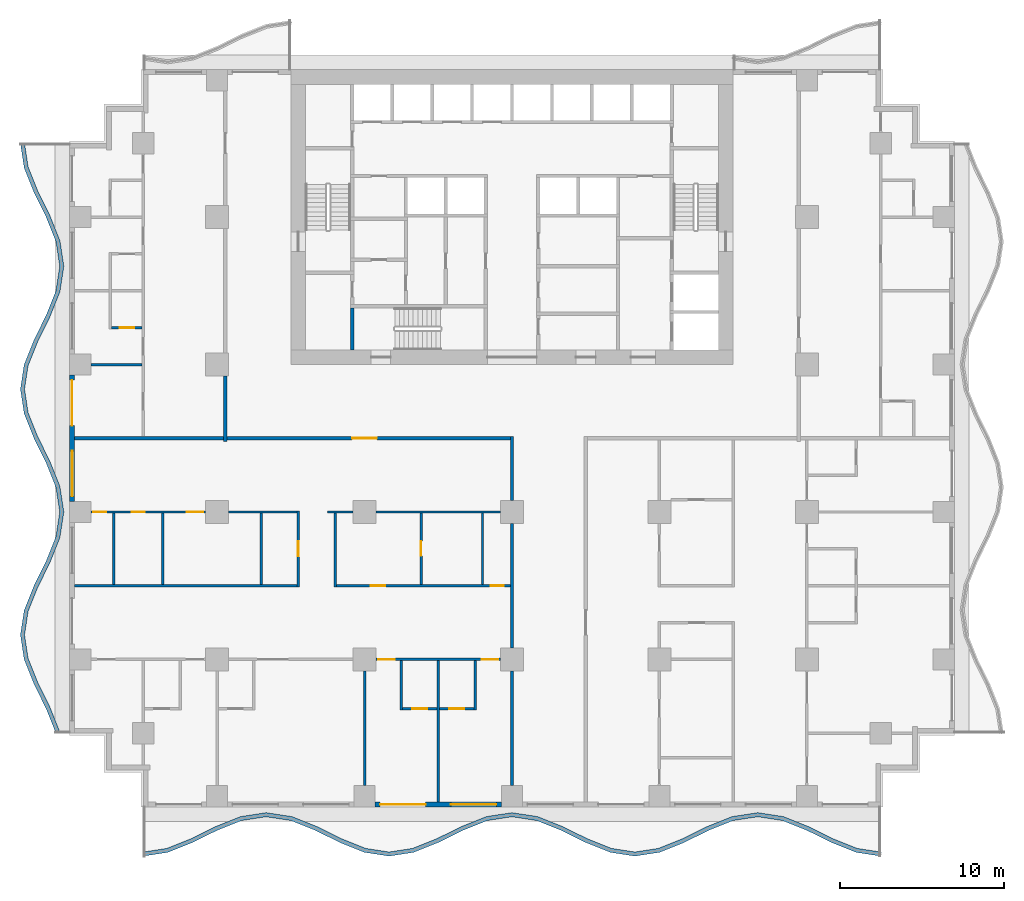
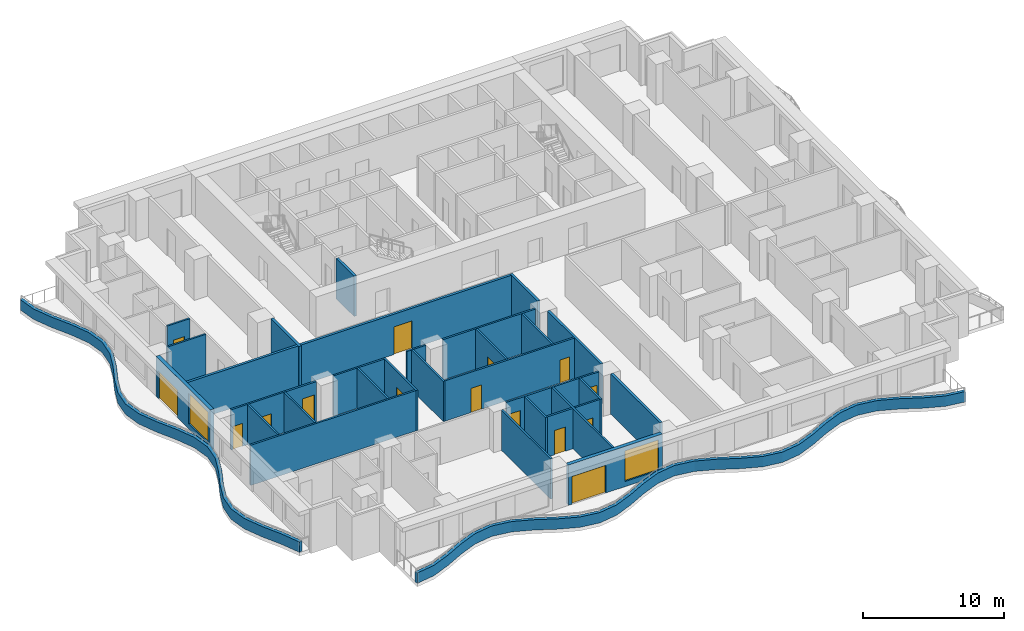
# One storey, part 2 of 14: 33 walls, 15 doors, 2 windows, 17 openings.
"""IFC4 building model written with IfcOpenShell, lengths in metres."""

from ifc_helpers import new_model, si_unit, direction, frame, frame_2d, origin, place, context, subcontext, project, spatial, polyline, rectangle, outline, extrude, material, layer, layer_set, type_object, element, fill, save


model = new_model("IFC4")

# Units and contexts
model_context = context("Model", 3, precision=1e-05, world=origin(), true_north=direction((0.0, 1.0)))
body_context = subcontext(model_context, "Body", "Model", "MODEL_VIEW")
ifc_project = project(units=[si_unit("LENGTHUNIT", "METRE"), si_unit("AREAUNIT", "SQUARE_METRE"), si_unit("VOLUMEUNIT", "CUBIC_METRE"), si_unit("PLANEANGLEUNIT", "RADIAN"), si_unit("MASSUNIT", "GRAM", prefix="KILO")], contexts=[model_context])

# Site, building, storey
site_placement = place(None, origin())
site = spatial("IfcSite", under=ifc_project, at=site_placement, CompositionType="ELEMENT")
building_placement = place(site_placement, origin())
building = spatial("IfcBuilding", under=site, at=building_placement, Name="Orbiselva Terraces", CompositionType="ELEMENT")
storey_placement = place(building_placement, frame((0.0, 0.0, 84.6)))
storey = spatial("IfcBuildingStorey", under=building, at=storey_placement, Name="L21", CompositionType="ELEMENT", Elevation=84.6)

# Walls
ifc_material_1 = material(Name="Concrete C60/75", Category="concrete")
ifc_layer_1 = layer(ifc_material_1, 0.2)
ifc_layer_set_1 = layer_set([ifc_layer_1], Name="Concrete C60/75")
wall_type_1 = type_object("IfcWallType", Name="CORE-WALL-SHEAR-200", PredefinedType="SHEAR", material=ifc_layer_set_1)
wall_1_placement = place(storey_placement, frame((-9.75, 5.4, 0.0), z_axis=(0.0, 0.0, 1.0), x_axis=(0.0, 1.0, 0.0)))
element("IfcWall", 1, at=wall_1_placement, inside=storey, type_object=wall_type_1, Name="L21 core wall 03", PredefinedType="SHEAR", context=body_context, shape_type="SweptSolid", body=[
    extrude(rectangle(XDim=2.55, YDim=0.2, at=frame_2d((1.275, 0.0))), origin(), (0.0, 0.0, 1.0), 3.5),
])
ifc_material_2 = material(Name="Concrete C40/50", Category="concrete")
ifc_layer_2 = layer(ifc_material_2, 0.25)
ifc_layer_set_2 = layer_set([ifc_layer_2], Name="Concrete C40/50")
wall_type_2 = type_object("IfcWallType", Name="ENV-PLANTER-250x900", PredefinedType="USERDEFINED", material=ifc_layer_set_2)
wall_2_placement = place(storey_placement, origin())
element("IfcWall", 2, at=wall_2_placement, inside=storey, type_object=wall_type_2, Name="Balcony planter L21 S", ObjectType="PLANTER", PredefinedType="USERDEFINED", context=body_context, shape_type="SweptSolid", body=[
    extrude(outline(polyline([(-22.5, -25.5), (-21.0, -25.27082), (-19.5, -24.67082), (-18.0, -23.92918), (-16.5, -23.32918), (-15.0, -23.1), (-13.5, -23.32918), (-12.0, -23.92918), (-10.5, -24.67082), (-9.0, -25.27082), (-7.5, -25.5), (-6.0, -25.27082), (-4.5, -24.67082), (-3.0, -23.92918), (-1.5, -23.32918), (0.0, -23.1), (1.5, -23.32918), (3.0, -23.92918), (4.5, -24.67082), (6.0, -25.27082), (7.5, -25.5), (9.0, -25.27082), (10.5, -24.67082), (12.0, -23.92918), (13.5, -23.32918), (15.0, -23.1), (16.5, -23.32918), (18.0, -23.92918), (19.5, -24.67082), (21.0, -25.27082), (22.5, -25.5), (22.537758, -25.252868), (21.066166, -25.028028), (19.601983, -24.442355), (18.101983, -23.700715), (16.566166, -23.086388), (15.0, -22.847099), (13.433834, -23.086388), (11.898017, -23.700715), (10.398017, -24.442355), (8.933834, -25.028028), (7.5, -25.247099), (6.066166, -25.028028), (4.601983, -24.442355), (3.101983, -23.700715), (1.566166, -23.086388), (0.0, -22.847099), (-1.566166, -23.086388), (-3.101983, -23.700715), (-4.601983, -24.442355), (-6.066166, -25.028028), (-7.5, -25.247099), (-8.933834, -25.028028), (-10.398017, -24.442355), (-11.898017, -23.700715), (-13.433834, -23.086388), (-15.0, -22.847099), (-16.566166, -23.086388), (-18.101983, -23.700715), (-19.601983, -24.442355), (-21.066166, -25.028028), (-22.537758, -25.252868), (-22.5, -25.5)])), origin(), (0.0, 0.0, 1.0), 0.9),
])
wall_3_placement = place(storey_placement, origin())
element("IfcWall", 3, at=wall_3_placement, inside=storey, type_object=wall_type_2, Name="Balcony planter L21 W", ObjectType="PLANTER", PredefinedType="USERDEFINED", context=body_context, shape_type="SweptSolid", body=[
    extrude(outline(polyline([(-30.0, 18.0), (-29.77082, 16.5), (-29.17082, 15.0), (-28.42918, 13.5), (-27.82918, 12.0), (-27.6, 10.5), (-27.82918, 9.0), (-28.42918, 7.5), (-29.17082, 6.0), (-29.77082, 4.5), (-30.0, 3.0), (-29.77082, 1.5), (-29.17082, 0.0), (-28.42918, -1.5), (-27.82918, -3.0), (-27.6, -4.5), (-27.82918, -6.0), (-28.42918, -7.5), (-29.17082, -9.0), (-29.77082, -10.5), (-30.0, -12.0), (-29.77082, -13.5), (-29.17082, -15.0), (-28.42918, -16.5), (-27.82918, -18.0), (-27.597061, -17.907152), (-28.200715, -16.398017), (-28.942355, -14.898017), (-29.528028, -13.433834), (-29.747099, -12.0), (-29.528028, -10.566166), (-28.942355, -9.101983), (-28.200715, -7.601983), (-27.586388, -6.066166), (-27.347099, -4.5), (-27.586388, -2.933834), (-28.200715, -1.398017), (-28.942355, 0.101983), (-29.528028, 1.566166), (-29.747099, 3.0), (-29.528028, 4.433834), (-28.942355, 5.898017), (-28.200715, 7.398017), (-27.586388, 8.933834), (-27.347099, 10.5), (-27.586388, 12.066166), (-28.200715, 13.601983), (-28.942355, 15.101983), (-29.528028, 16.566166), (-29.752868, 18.037758), (-30.0, 18.0)])), origin(), (0.0, 0.0, 1.0), 0.9),
])

# Wall, openings, door, window
ifc_material_3 = material(Name="Terracotta cladding on masonry backing", Category="masonry")
ifc_layer_3 = layer(ifc_material_3, 0.3)
ifc_layer_set_3 = layer_set([ifc_layer_3], Name="Terracotta cladding on masonry backing")
wall_type_3 = type_object("IfcWallType", Name="ENV-WALL-TERRACOTTA-300", PredefinedType="SOLIDWALL", material=ifc_layer_set_3)
wall_4_placement = place(storey_placement, frame((-0.65, -22.35, 0.0), z_axis=(0.0, 0.0, 1.0), x_axis=(-1.0, 0.0, 0.0)))
wall_4 = element("IfcWall", 4, at=wall_4_placement, inside=storey, type_object=wall_type_3, Name="Facade wall L21 S", PredefinedType="SOLIDWALL", context=body_context, shape_type="SweptSolid", body=[
    extrude(rectangle(XDim=7.7, YDim=0.3, at=frame_2d((3.85, 0.0))), origin(), (0.0, 0.0, 1.0), 3.5),
])
opening_1_placement = place(wall_4_placement, frame((4.625, 0.0, 0.0)))
opening_1 = element("IfcOpeningElement", 5, at=opening_1_placement, cuts=wall_4, Name="Opening Z2-B-E02", PredefinedType="OPENING", context=body_context, shape_type="SweptSolid", body=[
    extrude(rectangle(XDim=2.775, YDim=2.4, at=frame_2d((1.3875, 1.2))), frame((0.0, 0.16, 0.0), z_axis=(0.0, -1.0, 0.0), x_axis=(1.0, 0.0, 0.0)), (0.0, 0.0, 1.0), 0.32),
])
opening_2_placement = place(wall_4_placement, frame((0.3, 0.0, 0.45)))
opening_2 = element("IfcOpeningElement", 6, at=opening_2_placement, cuts=wall_4, Name="Opening WN6", PredefinedType="OPENING", context=body_context, shape_type="SweptSolid", body=[
    extrude(rectangle(XDim=2.775, YDim=2.65, at=frame_2d((1.3875, 1.325))), frame((0.0, 0.16, 0.0), z_axis=(0.0, -1.0, 0.0), x_axis=(1.0, 0.0, 0.0)), (0.0, 0.0, 1.0), 0.32),
])
ifc_material_4 = material(Name="Clear low-e glazing in aluminium frame", Category="aluminium")
door_type_1 = type_object("IfcDoorType", Name="BALCONY DOOR 2775 X 2400", OperationType="DOUBLE_DOOR_SLIDING", PredefinedType="DOOR", material=ifc_material_4)
door_1_placement = place(opening_1_placement, origin())
door_1 = element("IfcDoor", 7, at=door_1_placement, inside=storey, type_object=door_type_1, Name="Z2-B-E02", OperationType="SINGLE_SWING_LEFT", OverallHeight=2.4, OverallWidth=2.775, PredefinedType="DOOR", context=body_context, shape_type="SweptSolid", body=[
    extrude(rectangle(XDim=2.775, YDim=2.4, at=frame_2d((1.3875, 1.2))), frame((0.0, 0.025, 0.0), z_axis=(0.0, -1.0, 0.0), x_axis=(1.0, 0.0, 0.0)), (0.0, 0.0, 1.0), 0.05),
])
fill(opening_1, door_1)
window_type = type_object("IfcWindowType", Name="WINDOW 2775 X 2650 S450", PartitioningType="TRIPLE_PANEL_VERTICAL", PredefinedType="WINDOW", material=ifc_material_4)
window_1_placement = place(opening_2_placement, origin())
window_1 = element("IfcWindow", 8, at=window_1_placement, inside=storey, type_object=window_type, Name="Window L21 S", OverallHeight=2.65, OverallWidth=2.775, PartitioningType="SINGLE_PANEL", PredefinedType="WINDOW", context=body_context, shape_type="SweptSolid", body=[
    extrude(rectangle(XDim=2.775, YDim=2.65, at=frame_2d((1.3875, 1.325))), frame((0.0, 0.03, 0.0), z_axis=(0.0, -1.0, 0.0), x_axis=(1.0, 0.0, 0.0)), (0.0, 0.0, 1.0), 0.06),
])
fill(opening_2, window_1)

wall_5_placement = place(storey_placement, frame((-26.85, -3.85, 0.0), z_axis=(0.0, 0.0, 1.0), x_axis=(0.0, 1.0, 0.0)))
wall_5 = element("IfcWall", 9, at=wall_5_placement, inside=storey, type_object=wall_type_3, Name="Facade wall L21 W", PredefinedType="SOLIDWALL", context=body_context, shape_type="SweptSolid", body=[
    extrude(rectangle(XDim=7.7, YDim=0.3, at=frame_2d((3.85, 0.0))), origin(), (0.0, 0.0, 1.0), 3.5),
])
opening_3_placement = place(wall_5_placement, frame((4.625, 0.0, 0.0)))
opening_3 = element("IfcOpeningElement", 10, at=opening_3_placement, cuts=wall_5, Name="Opening Z2-B-E12", PredefinedType="OPENING", context=body_context, shape_type="SweptSolid", body=[
    extrude(rectangle(XDim=2.775, YDim=2.4, at=frame_2d((1.3875, 1.2))), frame((0.0, 0.16, 0.0), z_axis=(0.0, -1.0, 0.0), x_axis=(1.0, 0.0, 0.0)), (0.0, 0.0, 1.0), 0.32),
])
opening_4_placement = place(wall_5_placement, frame((0.3, 0.0, 0.45)))
opening_4 = element("IfcOpeningElement", 11, at=opening_4_placement, cuts=wall_5, Name="Opening WN6", PredefinedType="OPENING", context=body_context, shape_type="SweptSolid", body=[
    extrude(rectangle(XDim=2.775, YDim=2.65, at=frame_2d((1.3875, 1.325))), frame((0.0, 0.16, 0.0), z_axis=(0.0, -1.0, 0.0), x_axis=(1.0, 0.0, 0.0)), (0.0, 0.0, 1.0), 0.32),
])
door_2_placement = place(opening_3_placement, origin())
door_2 = element("IfcDoor", 12, at=door_2_placement, inside=storey, type_object=door_type_1, Name="Z2-B-E12", OperationType="SINGLE_SWING_LEFT", OverallHeight=2.4, OverallWidth=2.775, PredefinedType="DOOR", context=body_context, shape_type="SweptSolid", body=[
    extrude(rectangle(XDim=2.775, YDim=2.4, at=frame_2d((1.3875, 1.2))), frame((0.0, 0.025, 0.0), z_axis=(0.0, -1.0, 0.0), x_axis=(1.0, 0.0, 0.0)), (0.0, 0.0, 1.0), 0.05),
])
fill(opening_3, door_2)
window_2_placement = place(opening_4_placement, origin())
window_2 = element("IfcWindow", 13, at=window_2_placement, inside=storey, type_object=window_type, Name="Window L21 W", OverallHeight=2.65, OverallWidth=2.775, PartitioningType="SINGLE_PANEL", PredefinedType="WINDOW", context=body_context, shape_type="SweptSolid", body=[
    extrude(rectangle(XDim=2.775, YDim=2.65, at=frame_2d((1.3875, 1.325))), frame((0.0, 0.03, 0.0), z_axis=(0.0, -1.0, 0.0), x_axis=(1.0, 0.0, 0.0)), (0.0, 0.0, 1.0), 0.06),
])
fill(opening_4, window_2)

# Wall, opening, door
ifc_material_5 = material(Name="Plasterboard on steel stud partition", Category="steel")
ifc_layer_4 = layer(ifc_material_5, 0.2)
ifc_layer_set_4 = layer_set([ifc_layer_4], Name="Plasterboard on steel stud partition")
wall_type_4 = type_object("IfcWallType", Name="UNIT-ENTRANCE-WALL-200", PredefinedType="PARTITIONING", material=ifc_layer_set_4)
wall_6_placement = place(storey_placement, frame((-0.1, 0.0, 0.0), z_axis=(0.0, 0.0, 1.0), x_axis=(-1.0, 0.0, 0.0)))
wall_6 = element("IfcWall", 14, at=wall_6_placement, inside=storey, type_object=wall_type_4, Name="PARTITION L21-027", PredefinedType="PARTITIONING", context=body_context, shape_type="SweptSolid", body=[
    extrude(rectangle(XDim=17.3, YDim=0.2, at=frame_2d((8.65, 0.0))), origin(), (0.0, 0.0, 1.0), 3.5),
])
opening_5_placement = place(wall_6_placement, frame((8.15, 0.0, 0.0)))
opening_5 = element("IfcOpeningElement", 15, at=opening_5_placement, cuts=wall_6, Name="Opening Z2-B-15", PredefinedType="OPENING", context=body_context, shape_type="SweptSolid", body=[
    extrude(rectangle(XDim=1.5, YDim=2.4, at=frame_2d((0.75, 1.2))), frame((0.0, 0.11, 0.0), z_axis=(0.0, -1.0, 0.0), x_axis=(1.0, 0.0, 0.0)), (0.0, 0.0, 1.0), 0.22),
])
ifc_material_6 = material(Name="Painted timber door leaf", Category="wood")
door_type_2 = type_object("IfcDoorType", Name="ENTRANCE DOUBLE DOOR 1500", OperationType="NOTDEFINED", PredefinedType="DOOR", material=ifc_material_6)
door_3_placement = place(opening_5_placement, origin())
door_3 = element("IfcDoor", 16, at=door_3_placement, inside=storey, type_object=door_type_2, Name="Z2-B-15", OperationType="DOUBLE_DOOR_SINGLE_SWING", OverallHeight=2.4, OverallWidth=1.5, PredefinedType="DOOR", context=body_context, shape_type="SweptSolid", body=[
    extrude(rectangle(XDim=1.5, YDim=2.4, at=frame_2d((0.75, 1.2))), frame((0.0, 0.025, 0.0), z_axis=(0.0, -1.0, 0.0), x_axis=(1.0, 0.0, 0.0)), (0.0, 0.0, 1.0), 0.05),
])
fill(opening_5, door_3)

# Walls
wall_7_placement = place(storey_placement, frame((-17.5, -0.2, 0.0), z_axis=(0.0, 0.0, 1.0), x_axis=(0.0, 1.0, 0.0)))
element("IfcWall", 17, at=wall_7_placement, inside=storey, type_object=wall_type_4, Name="PARTITION L21-052", PredefinedType="PARTITIONING", context=body_context, shape_type="SweptSolid", body=[
    extrude(rectangle(XDim=4.0, YDim=0.2, at=frame_2d((2.0, 0.0))), origin(), (0.0, 0.0, 1.0), 3.5),
])
wall_8_placement = place(storey_placement, frame((0.0, -21.2, 0.0), z_axis=(0.0, 0.0, 1.0), x_axis=(0.0, 1.0, 0.0)))
element("IfcWall", 18, at=wall_8_placement, inside=storey, type_object=wall_type_4, Name="PARTITION L21-065", PredefinedType="PARTITIONING", context=body_context, shape_type="SweptSolid", body=[
    extrude(rectangle(XDim=7.0, YDim=0.2, at=frame_2d((3.5, 0.0))), origin(), (0.0, 0.0, 1.0), 3.5),
])
wall_9_placement = place(storey_placement, frame((0.0, -12.8, 0.0), z_axis=(0.0, 0.0, 1.0), x_axis=(0.0, 1.0, 0.0)))
element("IfcWall", 19, at=wall_9_placement, inside=storey, type_object=wall_type_4, Name="PARTITION L21-066", PredefinedType="PARTITIONING", context=body_context, shape_type="SweptSolid", body=[
    extrude(rectangle(XDim=7.6, YDim=0.2, at=frame_2d((3.8, 0.0))), origin(), (0.0, 0.0, 1.0), 3.5),
])
wall_10_placement = place(storey_placement, frame((0.0, -3.8, 0.0), z_axis=(0.0, 0.0, 1.0), x_axis=(0.0, 1.0, 0.0)))
element("IfcWall", 20, at=wall_10_placement, inside=storey, type_object=wall_type_4, Name="PARTITION L21-067", PredefinedType="PARTITIONING", context=body_context, shape_type="SweptSolid", body=[
    extrude(rectangle(XDim=3.9, YDim=0.2, at=frame_2d((1.95, 0.0))), origin(), (0.0, 0.0, 1.0), 3.5),
])

# Wall, opening, door
ifc_layer_5 = layer(ifc_material_5, 0.15)
ifc_layer_set_5 = layer_set([ifc_layer_5], Name="Plasterboard on steel stud partition")
wall_type_5 = type_object("IfcWallType", Name="UNIT-PARTITION-150", PredefinedType="PARTITIONING", material=ifc_layer_set_5)
wall_11_placement = place(storey_placement, frame((-6.675, -16.5, 0.0), z_axis=(0.0, 0.0, 1.0), x_axis=(1.0, 0.0, 0.0)))
wall_11 = element("IfcWall", 21, at=wall_11_placement, inside=storey, type_object=wall_type_5, Name="PARTITION L21-006", PredefinedType="PARTITIONING", context=body_context, shape_type="SweptSolid", body=[
    extrude(rectangle(XDim=2.1, YDim=0.15, at=frame_2d((1.05, 0.0))), origin(), (0.0, 0.0, 1.0), 3.5),
])
opening_6_placement = place(wall_11_placement, frame((0.6, 0.0, 0.0)))
opening_6 = element("IfcOpeningElement", 22, at=opening_6_placement, cuts=wall_11, Name="Opening Z2-B-29", PredefinedType="OPENING", context=body_context, shape_type="SweptSolid", body=[
    extrude(rectangle(XDim=0.9, YDim=2.1, at=frame_2d((0.45, 1.05))), frame((0.0, 0.085, 0.0), z_axis=(0.0, -1.0, 0.0), x_axis=(1.0, 0.0, 0.0)), (0.0, 0.0, 1.0), 0.17),
])
door_type_3 = type_object("IfcDoorType", Name="BATH DOOR 900", OperationType="NOTDEFINED", PredefinedType="DOOR", material=ifc_material_6)
door_4_placement = place(opening_6_placement, origin())
door_4 = element("IfcDoor", 23, at=door_4_placement, inside=storey, type_object=door_type_3, Name="Z2-B-29", OperationType="SINGLE_SWING_LEFT", OverallHeight=2.1, OverallWidth=0.9, PredefinedType="DOOR", context=body_context, shape_type="SweptSolid", body=[
    extrude(rectangle(XDim=0.9, YDim=2.1, at=frame_2d((0.45, 1.05))), frame((0.0, 0.025, 0.0), z_axis=(0.0, -1.0, 0.0), x_axis=(1.0, 0.0, 0.0)), (0.0, 0.0, 1.0), 0.05),
])
fill(opening_6, door_4)

wall_12_placement = place(storey_placement, frame((-4.425, -16.5, 0.0), z_axis=(0.0, 0.0, 1.0), x_axis=(1.0, 0.0, 0.0)))
wall_12 = element("IfcWall", 24, at=wall_12_placement, inside=storey, type_object=wall_type_5, Name="PARTITION L21-007", PredefinedType="PARTITIONING", context=body_context, shape_type="SweptSolid", body=[
    extrude(rectangle(XDim=2.1, YDim=0.15, at=frame_2d((1.05, 0.0))), origin(), (0.0, 0.0, 1.0), 3.5),
])
opening_7_placement = place(wall_12_placement, frame((0.6, 0.0, 0.0)))
opening_7 = element("IfcOpeningElement", 25, at=opening_7_placement, cuts=wall_12, Name="Opening Z2-B-31", PredefinedType="OPENING", context=body_context, shape_type="SweptSolid", body=[
    extrude(rectangle(XDim=0.9, YDim=2.1, at=frame_2d((0.45, 1.05))), frame((0.0, 0.085, 0.0), z_axis=(0.0, -1.0, 0.0), x_axis=(1.0, 0.0, 0.0)), (0.0, 0.0, 1.0), 0.17),
])
door_5_placement = place(opening_7_placement, origin())
door_5 = element("IfcDoor", 26, at=door_5_placement, inside=storey, type_object=door_type_3, Name="Z2-B-31", OperationType="SINGLE_SWING_RIGHT", OverallHeight=2.1, OverallWidth=0.9, PredefinedType="DOOR", context=body_context, shape_type="SweptSolid", body=[
    extrude(rectangle(XDim=0.9, YDim=2.1, at=frame_2d((0.45, 1.05))), frame((0.0, 0.025, 0.0), z_axis=(0.0, -1.0, 0.0), x_axis=(1.0, 0.0, 0.0)), (0.0, 0.0, 1.0), 0.05),
])
fill(opening_7, door_5)

# Wall, openings, doors
wall_13_placement = place(storey_placement, frame((-0.7, -13.5, 0.0), z_axis=(0.0, 0.0, 1.0), x_axis=(-1.0, 0.0, 0.0)))
wall_13 = element("IfcWall", 27, at=wall_13_placement, inside=storey, type_object=wall_type_5, Name="PARTITION L21-010", PredefinedType="PARTITIONING", context=body_context, shape_type="SweptSolid", body=[
    extrude(rectangle(XDim=7.6, YDim=0.15, at=frame_2d((3.8, 0.0))), origin(), (0.0, 0.0, 1.0), 3.5),
])
opening_8_placement = place(wall_13_placement, frame((6.45, 0.0, 0.0)))
opening_8 = element("IfcOpeningElement", 28, at=opening_8_placement, cuts=wall_13, Name="Opening Z2-B-28", PredefinedType="OPENING", context=body_context, shape_type="SweptSolid", body=[
    extrude(rectangle(XDim=1.0, YDim=2.4, at=frame_2d((0.5, 1.2))), frame((0.0, 0.085, 0.0), z_axis=(0.0, -1.0, 0.0), x_axis=(1.0, 0.0, 0.0)), (0.0, 0.0, 1.0), 0.17),
])
opening_9_placement = place(wall_13_placement, frame((0.15, 0.0, 0.0)))
opening_9 = element("IfcOpeningElement", 29, at=opening_9_placement, cuts=wall_13, Name="Opening Z2-B-30", PredefinedType="OPENING", context=body_context, shape_type="SweptSolid", body=[
    extrude(rectangle(XDim=1.0, YDim=2.4, at=frame_2d((0.5, 1.2))), frame((0.0, 0.085, 0.0), z_axis=(0.0, -1.0, 0.0), x_axis=(1.0, 0.0, 0.0)), (0.0, 0.0, 1.0), 0.17),
])
door_type_4 = type_object("IfcDoorType", Name="ROOM DOOR 1000", OperationType="NOTDEFINED", PredefinedType="DOOR", material=ifc_material_6)
door_6_placement = place(opening_8_placement, origin())
door_6 = element("IfcDoor", 30, at=door_6_placement, inside=storey, type_object=door_type_4, Name="Z2-B-28", OperationType="SINGLE_SWING_RIGHT", OverallHeight=2.4, OverallWidth=1.0, PredefinedType="DOOR", context=body_context, shape_type="SweptSolid", body=[
    extrude(rectangle(XDim=1.0, YDim=2.4, at=frame_2d((0.5, 1.2))), frame((0.0, 0.025, 0.0), z_axis=(0.0, -1.0, 0.0), x_axis=(1.0, 0.0, 0.0)), (0.0, 0.0, 1.0), 0.05),
])
fill(opening_8, door_6)
door_7_placement = place(opening_9_placement, origin())
door_7 = element("IfcDoor", 31, at=door_7_placement, inside=storey, type_object=door_type_4, Name="Z2-B-30", OperationType="SINGLE_SWING_LEFT", OverallHeight=2.4, OverallWidth=1.0, PredefinedType="DOOR", context=body_context, shape_type="SweptSolid", body=[
    extrude(rectangle(XDim=1.0, YDim=2.4, at=frame_2d((0.5, 1.2))), frame((0.0, 0.025, 0.0), z_axis=(0.0, -1.0, 0.0), x_axis=(1.0, 0.0, 0.0)), (0.0, 0.0, 1.0), 0.05),
])
fill(opening_9, door_7)

# Wall
wall_14_placement = place(storey_placement, frame((-26.7, -9.0, 0.0), z_axis=(0.0, 0.0, 1.0), x_axis=(1.0, 0.0, 0.0)))
element("IfcWall", 32, at=wall_14_placement, inside=storey, type_object=wall_type_5, Name="PARTITION L21-014", PredefinedType="PARTITIONING", context=body_context, shape_type="SweptSolid", body=[
    extrude(rectangle(XDim=13.575, YDim=0.15, at=frame_2d((6.7875, 0.0))), origin(), (0.0, 0.0, 1.0), 3.5),
])

# Wall, openings, doors
wall_15_placement = place(storey_placement, frame((-10.725, -9.0, 0.0), z_axis=(0.0, 0.0, 1.0), x_axis=(1.0, 0.0, 0.0)))
wall_15 = element("IfcWall", 33, at=wall_15_placement, inside=storey, type_object=wall_type_5, Name="PARTITION L21-015", PredefinedType="PARTITIONING", context=body_context, shape_type="SweptSolid", body=[
    extrude(rectangle(XDim=10.625, YDim=0.15, at=frame_2d((5.3125, 0.0))), origin(), (0.0, 0.0, 1.0), 3.5),
])
opening_10_placement = place(wall_15_placement, frame((2.1, 0.0, 0.0)))
opening_10 = element("IfcOpeningElement", 34, at=opening_10_placement, cuts=wall_15, Name="Opening Z2-B-20", PredefinedType="OPENING", context=body_context, shape_type="SweptSolid", body=[
    extrude(rectangle(XDim=0.9, YDim=2.1, at=frame_2d((0.45, 1.05))), frame((0.0, 0.085, 0.0), z_axis=(0.0, -1.0, 0.0), x_axis=(1.0, 0.0, 0.0)), (0.0, 0.0, 1.0), 0.17),
])
opening_11_placement = place(wall_15_placement, frame((9.425, 0.0, 0.0)))
opening_11 = element("IfcOpeningElement", 35, at=opening_11_placement, cuts=wall_15, Name="Opening Z2-B-22", PredefinedType="OPENING", context=body_context, shape_type="SweptSolid", body=[
    extrude(rectangle(XDim=0.8, YDim=2.0, at=frame_2d((0.4, 1.0))), frame((0.0, 0.085, 0.0), z_axis=(0.0, -1.0, 0.0), x_axis=(1.0, 0.0, 0.0)), (0.0, 0.0, 1.0), 0.17),
])
door_type_5 = type_object("IfcDoorType", Name="SERVICE DOOR 900", OperationType="NOTDEFINED", PredefinedType="DOOR", material=ifc_material_6)
door_8_placement = place(opening_10_placement, origin())
door_8 = element("IfcDoor", 36, at=door_8_placement, inside=storey, type_object=door_type_5, Name="Z2-B-20", OperationType="SINGLE_SWING_LEFT", OverallHeight=2.1, OverallWidth=0.9, PredefinedType="DOOR", context=body_context, shape_type="SweptSolid", body=[
    extrude(rectangle(XDim=0.9, YDim=2.1, at=frame_2d((0.45, 1.05))), frame((0.0, 0.025, 0.0), z_axis=(0.0, -1.0, 0.0), x_axis=(1.0, 0.0, 0.0)), (0.0, 0.0, 1.0), 0.05),
])
fill(opening_10, door_8)
door_type_6 = type_object("IfcDoorType", Name="STORE DOOR 800", OperationType="NOTDEFINED", PredefinedType="DOOR", material=ifc_material_6)
door_9_placement = place(opening_11_placement, origin())
door_9 = element("IfcDoor", 37, at=door_9_placement, inside=storey, type_object=door_type_6, Name="Z2-B-22", OperationType="SINGLE_SWING_RIGHT", OverallHeight=2.0, OverallWidth=0.8, PredefinedType="DOOR", context=body_context, shape_type="SweptSolid", body=[
    extrude(rectangle(XDim=0.8, YDim=2.0, at=frame_2d((0.4, 1.0))), frame((0.0, 0.025, 0.0), z_axis=(0.0, -1.0, 0.0), x_axis=(1.0, 0.0, 0.0)), (0.0, 0.0, 1.0), 0.05),
])
fill(opening_11, door_9)

wall_16_placement = place(storey_placement, frame((-18.7, -4.5, 0.0), z_axis=(0.0, 0.0, 1.0), x_axis=(-1.0, 0.0, 0.0)))
wall_16 = element("IfcWall", 38, at=wall_16_placement, inside=storey, type_object=wall_type_5, Name="PARTITION L21-020", PredefinedType="PARTITIONING", context=body_context, shape_type="SweptSolid", body=[
    extrude(rectangle(XDim=7.0, YDim=0.15, at=frame_2d((3.5, 0.0))), origin(), (0.0, 0.0, 1.0), 3.5),
])
opening_12_placement = place(wall_16_placement, frame((6.05, 0.0, 0.0)))
opening_12 = element("IfcOpeningElement", 39, at=opening_12_placement, cuts=wall_16, Name="Opening Z2-B-16", PredefinedType="OPENING", context=body_context, shape_type="SweptSolid", body=[
    extrude(rectangle(XDim=0.8, YDim=2.0, at=frame_2d((0.4, 1.0))), frame((0.0, 0.085, 0.0), z_axis=(0.0, -1.0, 0.0), x_axis=(1.0, 0.0, 0.0)), (0.0, 0.0, 1.0), 0.17),
])
opening_13_placement = place(wall_16_placement, frame((3.7, 0.0, 0.0)))
opening_13 = element("IfcOpeningElement", 40, at=opening_13_placement, cuts=wall_16, Name="Opening Z2-B-17", PredefinedType="OPENING", context=body_context, shape_type="SweptSolid", body=[
    extrude(rectangle(XDim=0.8, YDim=2.0, at=frame_2d((0.4, 1.0))), frame((0.0, 0.085, 0.0), z_axis=(0.0, -1.0, 0.0), x_axis=(1.0, 0.0, 0.0)), (0.0, 0.0, 1.0), 0.17),
])
opening_14_placement = place(wall_16_placement, frame((0.15, 0.0, 0.0)))
opening_14 = element("IfcOpeningElement", 41, at=opening_14_placement, cuts=wall_16, Name="Opening Z2-B-18", PredefinedType="OPENING", context=body_context, shape_type="SweptSolid", body=[
    extrude(rectangle(XDim=1.0, YDim=2.4, at=frame_2d((0.5, 1.2))), frame((0.0, 0.085, 0.0), z_axis=(0.0, -1.0, 0.0), x_axis=(1.0, 0.0, 0.0)), (0.0, 0.0, 1.0), 0.17),
])
door_10_placement = place(opening_14_placement, origin())
door_10 = element("IfcDoor", 42, at=door_10_placement, inside=storey, type_object=door_type_4, Name="Z2-B-18", OperationType="SINGLE_SWING_LEFT", OverallHeight=2.4, OverallWidth=1.0, PredefinedType="DOOR", context=body_context, shape_type="SweptSolid", body=[
    extrude(rectangle(XDim=1.0, YDim=2.4, at=frame_2d((0.5, 1.2))), frame((0.0, 0.025, 0.0), z_axis=(0.0, -1.0, 0.0), x_axis=(1.0, 0.0, 0.0)), (0.0, 0.0, 1.0), 0.05),
])
fill(opening_14, door_10)
door_11_placement = place(opening_12_placement, origin())
door_11 = element("IfcDoor", 43, at=door_11_placement, inside=storey, type_object=door_type_6, Name="Z2-B-16", OperationType="SINGLE_SWING_RIGHT", OverallHeight=2.0, OverallWidth=0.8, PredefinedType="DOOR", context=body_context, shape_type="SweptSolid", body=[
    extrude(rectangle(XDim=0.8, YDim=2.0, at=frame_2d((0.4, 1.0))), frame((0.0, 0.025, 0.0), z_axis=(0.0, -1.0, 0.0), x_axis=(1.0, 0.0, 0.0)), (0.0, 0.0, 1.0), 0.05),
])
fill(opening_12, door_11)
door_12_placement = place(opening_13_placement, origin())
door_12 = element("IfcDoor", 44, at=door_12_placement, inside=storey, type_object=door_type_6, Name="Z2-B-17", OperationType="SINGLE_SWING_RIGHT", OverallHeight=2.0, OverallWidth=0.8, PredefinedType="DOOR", context=body_context, shape_type="SweptSolid", body=[
    extrude(rectangle(XDim=0.8, YDim=2.0, at=frame_2d((0.4, 1.0))), frame((0.0, 0.025, 0.0), z_axis=(0.0, -1.0, 0.0), x_axis=(1.0, 0.0, 0.0)), (0.0, 0.0, 1.0), 0.05),
])
fill(opening_13, door_12)

# Walls
wall_17_placement = place(storey_placement, frame((-17.3, -4.5, 0.0), z_axis=(0.0, 0.0, 1.0), x_axis=(1.0, 0.0, 0.0)))
element("IfcWall", 45, at=wall_17_placement, inside=storey, type_object=wall_type_5, Name="PARTITION L21-021", PredefinedType="PARTITIONING", context=body_context, shape_type="SweptSolid", body=[
    extrude(rectangle(XDim=4.175, YDim=0.15, at=frame_2d((2.0875, 0.0))), origin(), (0.0, 0.0, 1.0), 3.5),
])
wall_18_placement = place(storey_placement, frame((-11.25, -4.5, 0.0), z_axis=(0.0, 0.0, 1.0), x_axis=(1.0, 0.0, 0.0)))
element("IfcWall", 46, at=wall_18_placement, inside=storey, type_object=wall_type_5, Name="PARTITION L21-022", PredefinedType="PARTITIONING", context=body_context, shape_type="SweptSolid", body=[
    extrude(rectangle(XDim=1.55, YDim=0.15, at=frame_2d((0.775, 0.0))), origin(), (0.0, 0.0, 1.0), 3.5),
])
wall_19_placement = place(storey_placement, frame((-8.3, -4.5, 0.0), z_axis=(0.0, 0.0, 1.0), x_axis=(1.0, 0.0, 0.0)))
element("IfcWall", 47, at=wall_19_placement, inside=storey, type_object=wall_type_5, Name="PARTITION L21-023", PredefinedType="PARTITIONING", context=body_context, shape_type="SweptSolid", body=[
    extrude(rectangle(XDim=7.6, YDim=0.15, at=frame_2d((3.8, 0.0))), origin(), (0.0, 0.0, 1.0), 3.5),
])
wall_20_placement = place(storey_placement, frame((-25.7, 4.5, 0.0), z_axis=(0.0, 0.0, 1.0), x_axis=(1.0, 0.0, 0.0)))
element("IfcWall", 48, at=wall_20_placement, inside=storey, type_object=wall_type_5, Name="PARTITION L21-032", PredefinedType="PARTITIONING", context=body_context, shape_type="SweptSolid", body=[
    extrude(rectangle(XDim=3.125, YDim=0.15, at=frame_2d((1.5625, 0.0))), origin(), (0.0, 0.0, 1.0), 3.5),
])

# Wall, opening, door
wall_21_placement = place(storey_placement, frame((-24.45, 6.75, 0.0), z_axis=(0.0, 0.0, 1.0), x_axis=(1.0, 0.0, 0.0)))
wall_21 = element("IfcWall", 49, at=wall_21_placement, inside=storey, type_object=wall_type_5, Name="PARTITION L21-033", PredefinedType="PARTITIONING", context=body_context, shape_type="SweptSolid", body=[
    extrude(rectangle(XDim=1.875, YDim=0.15, at=frame_2d((0.9375, 0.0))), origin(), (0.0, 0.0, 1.0), 3.5),
])
opening_15_placement = place(wall_21_placement, frame((0.5, 0.0, 0.0)))
opening_15 = element("IfcOpeningElement", 50, at=opening_15_placement, cuts=wall_21, Name="Opening Z2-B-04", PredefinedType="OPENING", context=body_context, shape_type="SweptSolid", body=[
    extrude(rectangle(XDim=0.9, YDim=2.1, at=frame_2d((0.45, 1.05))), frame((0.0, 0.085, 0.0), z_axis=(0.0, -1.0, 0.0), x_axis=(1.0, 0.0, 0.0)), (0.0, 0.0, 1.0), 0.17),
])
door_13_placement = place(opening_15_placement, origin())
door_13 = element("IfcDoor", 51, at=door_13_placement, inside=storey, type_object=door_type_3, Name="Z2-B-04", OperationType="SINGLE_SWING_RIGHT", OverallHeight=2.1, OverallWidth=0.9, PredefinedType="DOOR", context=body_context, shape_type="SweptSolid", body=[
    extrude(rectangle(XDim=0.9, YDim=2.1, at=frame_2d((0.45, 1.05))), frame((0.0, 0.025, 0.0), z_axis=(0.0, -1.0, 0.0), x_axis=(1.0, 0.0, 0.0)), (0.0, 0.0, 1.0), 0.05),
])
fill(opening_15, door_13)

# Walls
for number, where, z_axis, x_axis, name in (
    (52, (-24.3, -8.925, 0.0), (0.0, 0.0, 1.0), (0.0, 1.0, 0.0), "PARTITION L21-044"),
    (53, (-21.3, -8.925, 0.0), (0.0, 0.0, 1.0), (0.0, 1.0, 0.0), "PARTITION L21-049"),
    (54, (-15.3, -8.925, 0.0), (0.0, 0.0, 1.0), (0.0, 1.0, 0.0), "PARTITION L21-056"),
):
    element("IfcWall", number, at=place(storey_placement, frame(where, z_axis=z_axis, x_axis=x_axis)), inside=storey, type_object=wall_type_5, Name=name, PredefinedType="PARTITIONING", context=body_context, shape_type="SweptSolid", body=[
        extrude(rectangle(XDim=4.35, YDim=0.15, at=frame_2d((2.175, 0.0))), origin(), (0.0, 0.0, 1.0), 3.5),
    ])

# Wall, opening, door
wall_22_placement = place(storey_placement, frame((-13.05, -9.075, 0.0), z_axis=(0.0, 0.0, 1.0), x_axis=(0.0, 1.0, 0.0)))
wall_22 = element("IfcWall", 55, at=wall_22_placement, inside=storey, type_object=wall_type_5, Name="PARTITION L21-057", PredefinedType="PARTITIONING", context=body_context, shape_type="SweptSolid", body=[
    extrude(rectangle(XDim=4.65, YDim=0.15, at=frame_2d((2.325, 0.0))), origin(), (0.0, 0.0, 1.0), 3.5),
])
opening_16_placement = place(wall_22_placement, frame((1.875, 0.0, 0.0)))
opening_16 = element("IfcOpeningElement", 56, at=opening_16_placement, cuts=wall_22, Name="Opening Z2-B-19", PredefinedType="OPENING", context=body_context, shape_type="SweptSolid", body=[
    extrude(rectangle(XDim=0.9, YDim=2.1, at=frame_2d((0.45, 1.05))), frame((0.0, 0.085, 0.0), z_axis=(0.0, -1.0, 0.0), x_axis=(1.0, 0.0, 0.0)), (0.0, 0.0, 1.0), 0.17),
])
door_14_placement = place(opening_16_placement, origin())
door_14 = element("IfcDoor", 57, at=door_14_placement, inside=storey, type_object=door_type_3, Name="Z2-B-19", OperationType="SINGLE_SWING_LEFT", OverallHeight=2.1, OverallWidth=0.9, PredefinedType="DOOR", context=body_context, shape_type="SweptSolid", body=[
    extrude(rectangle(XDim=0.9, YDim=2.1, at=frame_2d((0.45, 1.05))), frame((0.0, 0.025, 0.0), z_axis=(0.0, -1.0, 0.0), x_axis=(1.0, 0.0, 0.0)), (0.0, 0.0, 1.0), 0.05),
])
fill(opening_16, door_14)

# Walls
wall_23_placement = place(storey_placement, frame((-10.8, -9.075, 0.0), z_axis=(0.0, 0.0, 1.0), x_axis=(0.0, 1.0, 0.0)))
element("IfcWall", 58, at=wall_23_placement, inside=storey, type_object=wall_type_5, Name="PARTITION L21-058", PredefinedType="PARTITIONING", context=body_context, shape_type="SweptSolid", body=[
    extrude(rectangle(XDim=4.5, YDim=0.15, at=frame_2d((2.25, 0.0))), origin(), (0.0, 0.0, 1.0), 3.5),
])
wall_24_placement = place(storey_placement, frame((-9.0, -21.2, 0.0), z_axis=(0.0, 0.0, 1.0), x_axis=(0.0, 1.0, 0.0)))
element("IfcWall", 59, at=wall_24_placement, inside=storey, type_object=wall_type_5, Name="PARTITION L21-059", PredefinedType="PARTITIONING", context=body_context, shape_type="SweptSolid", body=[
    extrude(rectangle(XDim=7.0, YDim=0.15, at=frame_2d((3.5, 0.0))), origin(), (0.0, 0.0, 1.0), 3.5),
])
wall_25_placement = place(storey_placement, frame((-6.75, -16.575, 0.0), z_axis=(0.0, 0.0, 1.0), x_axis=(0.0, 1.0, 0.0)))
element("IfcWall", 60, at=wall_25_placement, inside=storey, type_object=wall_type_5, Name="PARTITION L21-060", PredefinedType="PARTITIONING", context=body_context, shape_type="SweptSolid", body=[
    extrude(rectangle(XDim=3.0, YDim=0.15, at=frame_2d((1.5, 0.0))), origin(), (0.0, 0.0, 1.0), 3.5),
])

# Wall, opening, door
wall_26_placement = place(storey_placement, frame((-5.55, -4.575, 0.0), z_axis=(0.0, 0.0, 1.0), x_axis=(0.0, -1.0, 0.0)))
wall_26 = element("IfcWall", 61, at=wall_26_placement, inside=storey, type_object=wall_type_5, Name="PARTITION L21-061", PredefinedType="PARTITIONING", context=body_context, shape_type="SweptSolid", body=[
    extrude(rectangle(XDim=4.35, YDim=0.15, at=frame_2d((2.175, 0.0))), origin(), (0.0, 0.0, 1.0), 3.5),
])
opening_17_placement = place(wall_26_placement, frame((1.7, 0.0, 0.0)))
opening_17 = element("IfcOpeningElement", 62, at=opening_17_placement, cuts=wall_26, Name="Opening Z2-B-21", PredefinedType="OPENING", context=body_context, shape_type="SweptSolid", body=[
    extrude(rectangle(XDim=0.9, YDim=2.1, at=frame_2d((0.45, 1.05))), frame((0.0, 0.085, 0.0), z_axis=(0.0, -1.0, 0.0), x_axis=(1.0, 0.0, 0.0)), (0.0, 0.0, 1.0), 0.17),
])
door_15_placement = place(opening_17_placement, origin())
door_15 = element("IfcDoor", 63, at=door_15_placement, inside=storey, type_object=door_type_3, Name="Z2-B-21", OperationType="SINGLE_SWING_LEFT", OverallHeight=2.1, OverallWidth=0.9, PredefinedType="DOOR", context=body_context, shape_type="SweptSolid", body=[
    extrude(rectangle(XDim=0.9, YDim=2.1, at=frame_2d((0.45, 1.05))), frame((0.0, 0.025, 0.0), z_axis=(0.0, -1.0, 0.0), x_axis=(1.0, 0.0, 0.0)), (0.0, 0.0, 1.0), 0.05),
])
fill(opening_17, door_15)

# Walls
wall_27_placement = place(storey_placement, frame((-4.5, -22.2, 0.0), z_axis=(0.0, 0.0, 1.0), x_axis=(0.0, 1.0, 0.0)))
element("IfcWall", 64, at=wall_27_placement, inside=storey, type_object=wall_type_5, Name="PARTITION L21-062", PredefinedType="PARTITIONING", context=body_context, shape_type="SweptSolid", body=[
    extrude(rectangle(XDim=8.625, YDim=0.15, at=frame_2d((4.3125, 0.0))), origin(), (0.0, 0.0, 1.0), 3.5),
])
wall_28_placement = place(storey_placement, frame((-2.25, -16.575, 0.0), z_axis=(0.0, 0.0, 1.0), x_axis=(0.0, 1.0, 0.0)))
element("IfcWall", 65, at=wall_28_placement, inside=storey, type_object=wall_type_5, Name="PARTITION L21-063", PredefinedType="PARTITIONING", context=body_context, shape_type="SweptSolid", body=[
    extrude(rectangle(XDim=3.0, YDim=0.15, at=frame_2d((1.5, 0.0))), origin(), (0.0, 0.0, 1.0), 3.5),
])
wall_29_placement = place(storey_placement, frame((-1.8, -8.925, 0.0), z_axis=(0.0, 0.0, 1.0), x_axis=(0.0, 1.0, 0.0)))
element("IfcWall", 66, at=wall_29_placement, inside=storey, type_object=wall_type_5, Name="PARTITION L21-064", PredefinedType="PARTITIONING", context=body_context, shape_type="SweptSolid", body=[
    extrude(rectangle(XDim=4.35, YDim=0.15, at=frame_2d((2.175, 0.0))), origin(), (0.0, 0.0, 1.0), 3.5),
])
ifc_layer_6 = layer(ifc_material_5, 0.2)
ifc_layer_set_6 = layer_set([ifc_layer_6], Name="Plasterboard on steel stud partition")
wall_type_6 = type_object("IfcWallType", Name="UNIT-PARTY-WALL-200", PredefinedType="PARTITIONING", material=ifc_layer_set_6)
wall_30_placement = place(storey_placement, frame((-26.7, 0.0, 0.0), z_axis=(0.0, 0.0, 1.0), x_axis=(1.0, 0.0, 0.0)))
element("IfcWall", 67, at=wall_30_placement, inside=storey, type_object=wall_type_6, Name="PARTITION L21-029", PredefinedType="PARTITIONING", context=body_context, shape_type="SweptSolid", body=[
    extrude(rectangle(XDim=9.1, YDim=0.2, at=frame_2d((4.55, 0.0))), origin(), (0.0, 0.0, 1.0), 3.5),
])

save(model, "model.ifc")
